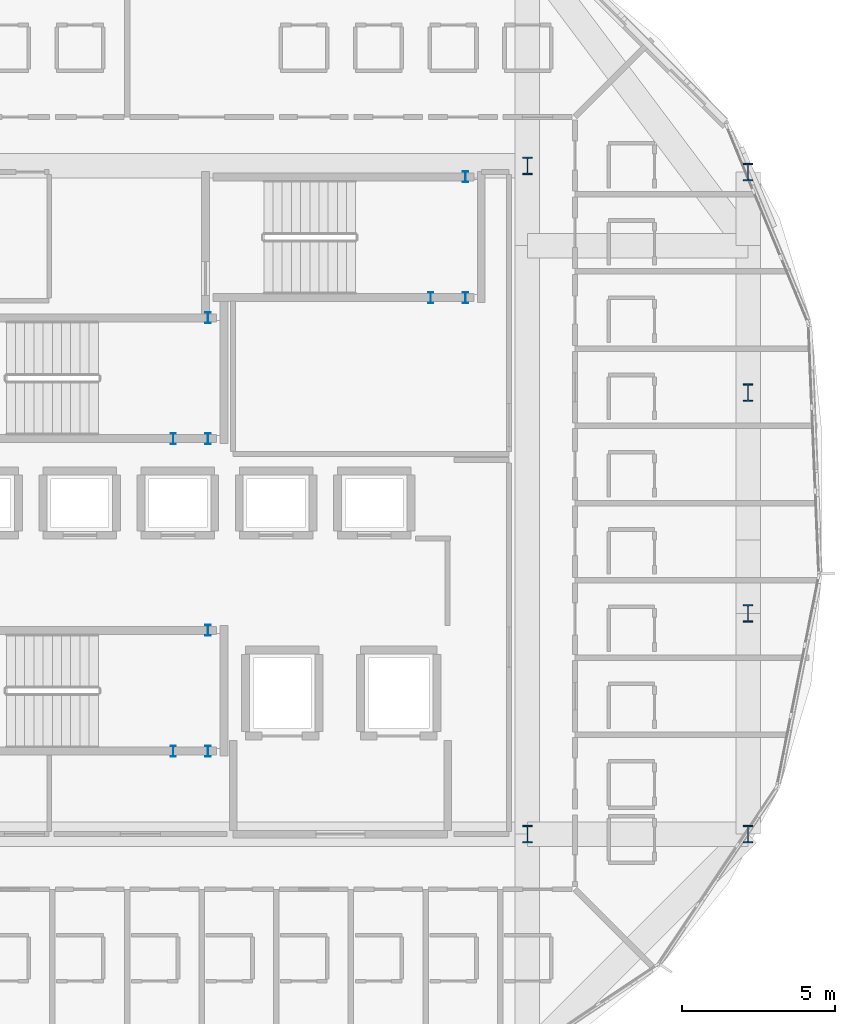
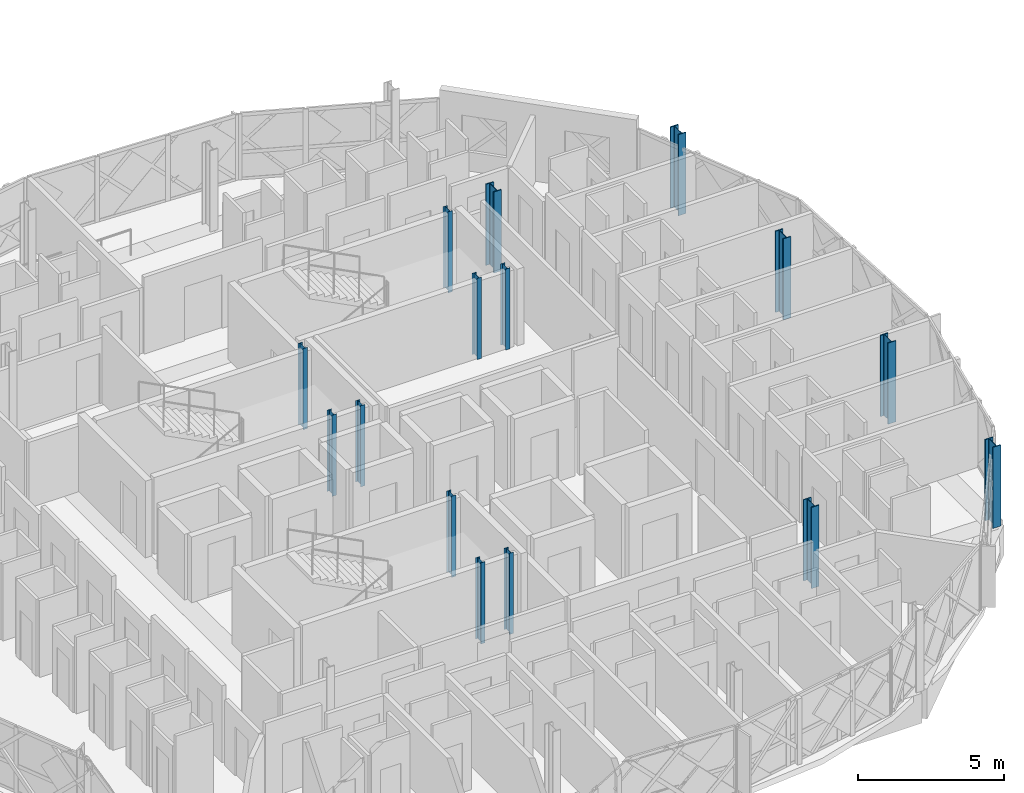
# One storey, part 4 of 53: 15 columns.
"""IFC4 building model written with IfcOpenShell, lengths in metres."""

from ifc_helpers import new_model, si_unit, direction, frame, origin, origin_2d, place, context, subcontext, project, spatial, i_section, extrude, material, material_profile, profile_set, type_object, element, save


model = new_model("IFC4")

# Units and contexts
model_context = context("Model", 3, precision=1e-05, world=origin(), true_north=direction((0.0, 1.0)))
body_context = subcontext(model_context, "Body", "Model", "MODEL_VIEW")
ifc_project = project(units=[si_unit("LENGTHUNIT", "METRE"), si_unit("AREAUNIT", "SQUARE_METRE"), si_unit("VOLUMEUNIT", "CUBIC_METRE"), si_unit("PLANEANGLEUNIT", "RADIAN"), si_unit("MASSUNIT", "GRAM", prefix="KILO")], contexts=[model_context])

# Site, building, storey
site_placement = place(None, origin())
site = spatial("IfcSite", under=ifc_project, at=site_placement, CompositionType="ELEMENT")
building_placement = place(site_placement, origin())
building = spatial("IfcBuilding", under=site, at=building_placement, Name="Zevrakil Square Congress Hotel", CompositionType="ELEMENT")
storey_placement = place(building_placement, frame((0.0, 0.0, 14.699951171875)))
storey = spatial("IfcBuildingStorey", under=building, at=storey_placement, Name="L04", CompositionType="ELEMENT", Elevation=14.699951171875)

# Columns
ifc_material_1 = material(Name="Steel S355", Category="steel")
ifc_material_profile_1 = material_profile(ifc_material_1, i_section(OverallWidth=0.305908203125, OverallDepth=0.572021484375, WebThickness=0.02099609375, FlangeThickness=0.0400390625, FilletRadius=0.027099609375, at=origin_2d()), Name="HEM 550")
ifc_profile_set_1 = profile_set([ifc_material_profile_1], Name="Steel S355")
column_type_1 = type_object("IfcColumnType", Name="COL-HEM550", PredefinedType="COLUMN", material=ifc_profile_set_1)
for number, where, z_axis, x_axis, name in (
    (1, (156.0, 16.800048828125, 0.0), (0.0, 0.0, 1.0), (1.0, 0.0, 0.0), "L04 column C-222"),
    (2, (156.0, 38.60009765625, 0.0), (0.0, 0.0, 1.0), (1.0, 0.0, 0.0), "L04 drum core collar column CC02"),
    (3, (163.199951171875, 16.800048828125, 0.0), (0.0, 0.0, 1.0), (1.0, 0.0, 0.0), "L04 drum column DC05"),
    (4, (163.199951171875, 24.0, 0.0), (0.0, 0.0, 1.0), (1.0, 0.0, 0.0), "L04 drum column DC06"),
    (5, (163.199951171875, 31.199951171875, 0.0), (0.0, 0.0, 1.0), (1.0, 0.0, 0.0), "L04 drum column DC07"),
    (6, (163.199951171875, 38.39990234375, 0.0), (0.0, 0.0, 1.0), (1.0, 0.0, 0.0), "L04 drum column DC08"),
):
    element("IfcColumn", number, at=place(storey_placement, frame(where, z_axis=z_axis, x_axis=x_axis)), inside=storey, type_object=column_type_1, Name=name, PredefinedType="COLUMN", context=body_context, shape_type="SweptSolid", body=[
        extrude(i_section(OverallWidth=0.305908203125, OverallDepth=0.572021484375, WebThickness=0.02099609375, FlangeThickness=0.0400390625, FilletRadius=0.027099609375, at=origin_2d()), origin(), (0.0, 0.0, 1.0), 3.400146484375),
    ])
ifc_material_2 = material(Name="Steel S355", Category="steel")
ifc_material_profile_2 = material_profile(ifc_material_2, i_section(OverallWidth=0.169921875, OverallDepth=0.360107421875, WebThickness=0.008056640625, FlangeThickness=0.0126953125, FilletRadius=0.01806640625, at=origin_2d()), Name="IPE 360")
ifc_profile_set_2 = profile_set([ifc_material_profile_2], Name="Steel S355")
column_type_2 = type_object("IfcColumnType", Name="COL-PILASTER-SHS180", PredefinedType="PILASTER", material=ifc_profile_set_2)
for number, where, z_axis, x_axis, name in (
    (7, (144.449951171875, 19.5, 0.0), (0.0, 0.0, 1.0), (1.0, 0.0, 0.0), "L04 ST01 stair shaft post 1"),
    (8, (145.580078125, 19.5, 0.0), (0.0, 0.0, 1.0), (1.0, 0.0, 0.0), "L04 ST01 stair shaft post 2"),
    (9, (145.580078125, 23.449951171875, 0.0), (0.0, 0.0, 1.0), (1.0, 0.0, 0.0), "L04 ST01 stair shaft post 3"),
    (10, (144.449951171875, 29.699951171875, 0.0), (0.0, 0.0, 1.0), (1.0, 0.0, 0.0), "L04 ST02 stair shaft post 1"),
    (11, (145.580078125, 29.699951171875, 0.0), (0.0, 0.0, 1.0), (1.0, 0.0, 0.0), "L04 ST02 stair shaft post 2"),
    (12, (145.580078125, 33.64990234375, 0.0), (0.0, 0.0, 1.0), (1.0, 0.0, 0.0), "L04 ST02 stair shaft post 3"),
    (13, (152.85009765625, 34.300048828125, 0.0), (0.0, 0.0, 1.0), (1.0, 0.0, 0.0), "L04 ST03 stair shaft post 1"),
    (14, (153.97998046875, 34.300048828125, 0.0), (0.0, 0.0, 1.0), (1.0, 0.0, 0.0), "L04 ST03 stair shaft post 2"),
    (15, (153.97998046875, 38.25, 0.0), (0.0, 0.0, 1.0), (1.0, 0.0, 0.0), "L04 ST03 stair shaft post 3"),
):
    element("IfcColumn", number, at=place(storey_placement, frame(where, z_axis=z_axis, x_axis=x_axis)), inside=storey, type_object=column_type_2, Name=name, PredefinedType="PILASTER", context=body_context, shape_type="SweptSolid", body=[
        extrude(i_section(OverallWidth=0.169921875, OverallDepth=0.360107421875, WebThickness=0.008056640625, FlangeThickness=0.0126953125, FilletRadius=0.01806640625, at=origin_2d()), origin(), (0.0, 0.0, 1.0), 3.400146484375),
    ])

save(model, "model.ifc")
